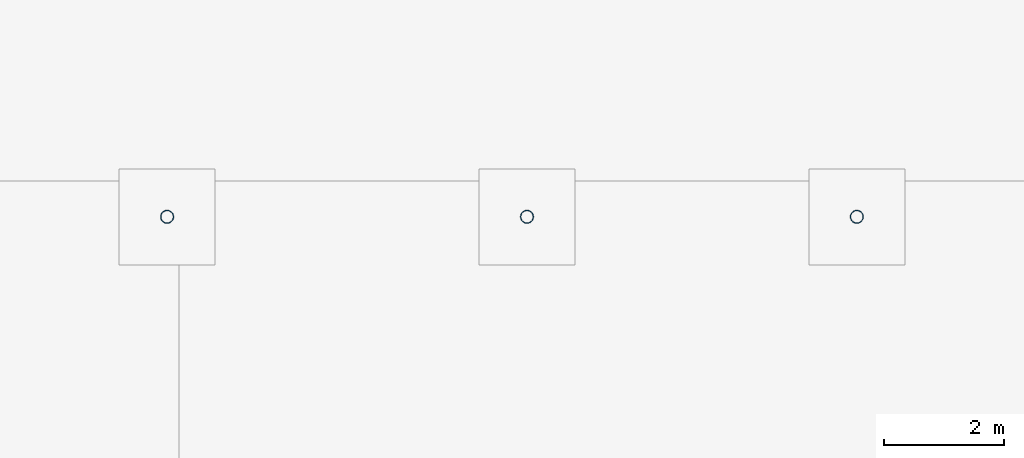
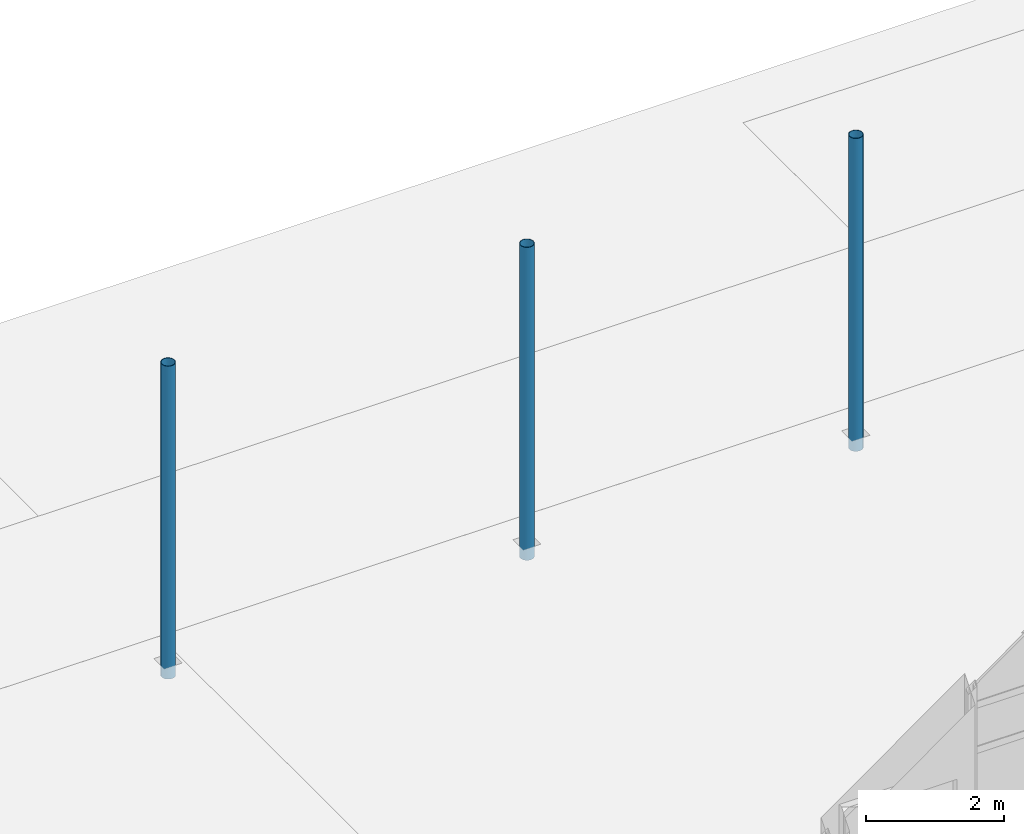
# One storey, part 16 of 112: 3 columns.
"""IFC4 building model written with IfcOpenShell, lengths in metres."""

from ifc_helpers import new_model, si_unit, direction, frame, origin, origin_2d, place, context, subcontext, project, spatial, hollow_circle, extrude, material, material_profile, profile_set, type_object, element, save


model = new_model("IFC4")

# Units and contexts
model_context = context("Model", 3, precision=1e-05, world=origin(), true_north=direction((0.0, 1.0)))
body_context = subcontext(model_context, "Body", "Model", "MODEL_VIEW")
ifc_project = project(units=[si_unit("LENGTHUNIT", "METRE"), si_unit("AREAUNIT", "SQUARE_METRE"), si_unit("VOLUMEUNIT", "CUBIC_METRE"), si_unit("PLANEANGLEUNIT", "RADIAN"), si_unit("MASSUNIT", "GRAM", prefix="KILO")], contexts=[model_context])

# Site, building, storey
site_placement = place(None, origin())
site = spatial("IfcSite", under=ifc_project, at=site_placement, CompositionType="ELEMENT")
building_placement = place(site_placement, origin())
building = spatial("IfcBuilding", under=site, at=building_placement, Name="Ridgestep Commons", CompositionType="ELEMENT")
storey_placement = place(building_placement, origin())
storey = spatial("IfcBuildingStorey", under=building, at=storey_placement, Name="L00", CompositionType="ELEMENT", Elevation=0.0)

# Columns
ifc_material = material(Name="Structural steel S355JR", Category="steel")
ifc_material_profile = material_profile(ifc_material, hollow_circle(Radius=0.109619140625, WallThickness=0.008056640625, at=origin_2d()), Name="CHS 219.1x8.0")
ifc_profile_set = profile_set([ifc_material_profile], Name="Structural steel S355JR")
column_type = type_object("IfcColumnType", Name="Canopy column CHS 219 x 8", PredefinedType="COLUMN", material=ifc_profile_set)
for number, where, z_axis, x_axis, name in (
    (1, (129.800048828125, 83.39990234375, -0.25), (0.0, 0.0, 1.0), (1.0, 0.0, 0.0), "Canopy column"),
    (2, (135.800048828125, 83.39990234375, -0.25), (0.0, 0.0, 1.0), (1.0, 0.0, 0.0), "Canopy column"),
    (3, (141.300048828125, 83.39990234375, -0.25), (0.0, 0.0, 1.0), (1.0, 0.0, 0.0), "Canopy column"),
):
    element("IfcColumn", number, at=place(storey_placement, frame(where, z_axis=z_axis, x_axis=x_axis)), inside=storey, type_object=column_type, Name=name, PredefinedType="COLUMN", context=body_context, shape_type="SweptSolid", body=[
        extrude(hollow_circle(Radius=0.109619140625, WallThickness=0.008056640625, at=origin_2d()), origin(), (0.0, 0.0, 1.0), 5.532470703125),
    ])

save(model, "model.ifc")
